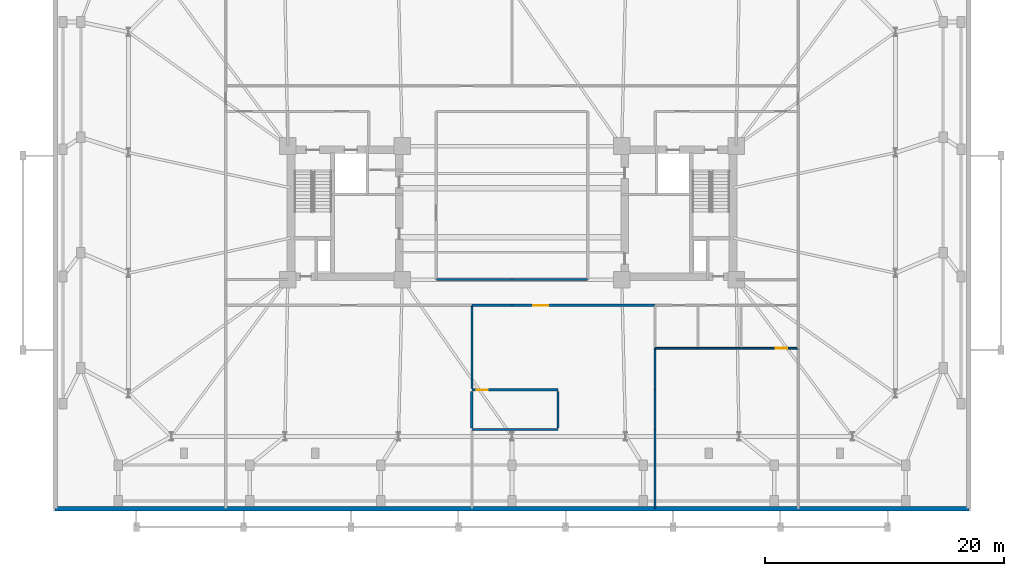
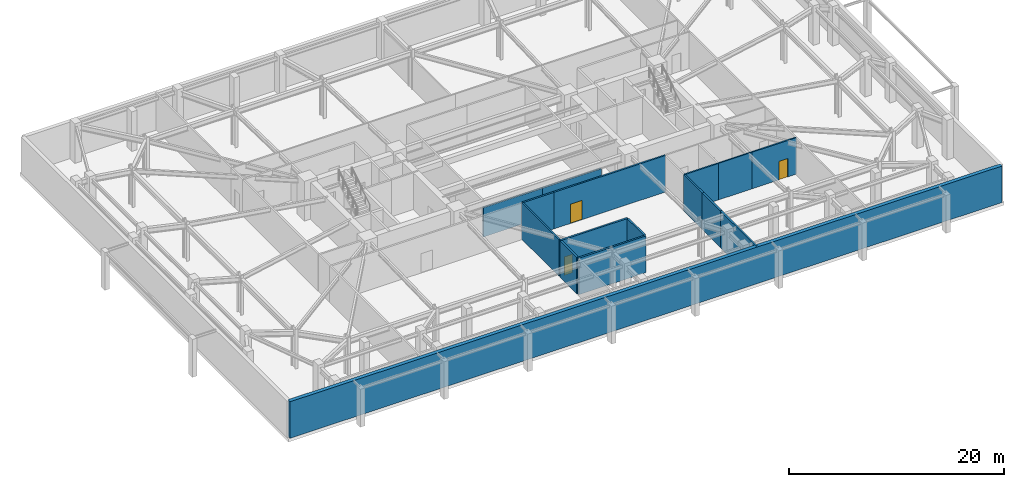
# One storey, part 9 of 14: 16 walls, 3 doors, 3 openings.
"""IFC4 building model written with IfcOpenShell, lengths in metres."""

from ifc_helpers import new_model, si_unit, direction, frame, frame_2d, origin, place, context, subcontext, project, spatial, rectangle, extrude, material, layer, layer_set, type_object, element, fill, save


model = new_model("IFC4")

# Units and contexts
model_context = context("Model", 3, precision=1e-05, world=origin(), true_north=direction((0.0, 1.0)))
body_context = subcontext(model_context, "Body", "Model", "MODEL_VIEW")
ifc_project = project(units=[si_unit("LENGTHUNIT", "METRE"), si_unit("AREAUNIT", "SQUARE_METRE"), si_unit("VOLUMEUNIT", "CUBIC_METRE"), si_unit("PLANEANGLEUNIT", "RADIAN"), si_unit("MASSUNIT", "GRAM", prefix="KILO")], contexts=[model_context])

# Site, building, storey
site_placement = place(None, origin())
site = spatial("IfcSite", under=ifc_project, at=site_placement, CompositionType="ELEMENT")
building_placement = place(site_placement, origin())
building = spatial("IfcBuilding", under=site, at=building_placement, Name="Qobustan Lattice House", CompositionType="ELEMENT")
storey_placement = place(building_placement, frame((0.0, 0.0, -4.5)))
storey = spatial("IfcBuildingStorey", under=building, at=storey_placement, Name="B01", CompositionType="ELEMENT", Elevation=-4.5)

# Walls
ifc_material_1 = material(Name="Gypsum fireboard acoustic partition", Category="gypsum")
ifc_layer_1 = layer(ifc_material_1, 0.179931640625)
ifc_layer_set_1 = layer_set([ifc_layer_1], Name="Gypsum fireboard acoustic partition")
wall_type_1 = type_object("IfcWallType", Name="WAL-FIRE-180", PredefinedType="PARTITIONING", material=ifc_layer_set_1)
wall_1_placement = place(storey_placement, frame((0.0, -7.75, 0.0), z_axis=(0.0, 0.0, 1.0), x_axis=(-1.0, 0.0, 0.0)))
element("IfcWall", 1, at=wall_1_placement, inside=storey, type_object=wall_type_1, Name="B01 interior partition 29", PredefinedType="PARTITIONING", context=body_context, shape_type="SweptSolid", body=[
    extrude(rectangle(XDim=3.360107421875, YDim=0.179931640625, at=frame_2d((1.68017578125, 0.0))), origin(), (0.0, 0.0, 1.0), 4.159912109375),
])
wall_2_placement = place(storey_placement, frame((-6.35009765625, -5.60009765625, 0.0), z_axis=(0.0, 0.0, 1.0), x_axis=(1.0, 0.0, 0.0)))
element("IfcWall", 2, at=wall_2_placement, inside=storey, type_object=wall_type_1, Name="B01 interior partition 31", PredefinedType="PARTITIONING", context=body_context, shape_type="SweptSolid", body=[
    extrude(rectangle(XDim=6.35009765625, YDim=0.179931640625, at=frame_2d((3.175048828125, 0.0))), origin(), (0.0, 0.0, 1.0), 3.3310546875),
])

# Wall, opening, door
wall_3_placement = place(storey_placement, frame((12.0, -7.75, 0.0), z_axis=(0.0, 0.0, 1.0), x_axis=(-1.0, 0.0, 0.0)))
wall_3 = element("IfcWall", 3, at=wall_3_placement, inside=storey, type_object=wall_type_1, Name="B01 interior partition 32", PredefinedType="PARTITIONING", context=body_context, shape_type="SweptSolid", body=[
    extrude(rectangle(XDim=12.0, YDim=0.179931640625, at=frame_2d((6.0, 0.0))), origin(), (0.0, 0.0, 1.0), 4.159912109375),
])
opening_1_placement = place(wall_3_placement, frame((8.97119140625, 0.0, 0.0)))
opening_1 = element("IfcOpeningElement", 4, at=opening_1_placement, cuts=wall_3, Name="Opening FD-03", PredefinedType="OPENING", context=body_context, shape_type="SweptSolid", body=[
    extrude(rectangle(XDim=1.25, YDim=2.199951171875, at=frame_2d((0.625, 1.10009765625))), frame((0.0, 0.099853515625, 0.0), z_axis=(0.0, -1.0, 0.0), x_axis=(1.0, 0.0, 0.0)), (0.0, 0.0, 1.0), 0.199951171875),
])
ifc_material_2 = material(Name="Persian walnut timber and steel frame door", Category="steel")
door_type_1 = type_object("IfcDoorType", Name="DOR-PLANT-1250x2200", OperationType="NOTDEFINED", PredefinedType="DOOR", material=ifc_material_2)
door_1_placement = place(opening_1_placement, origin())
door_1 = element("IfcDoor", 5, at=door_1_placement, inside=storey, type_object=door_type_1, Name="B01 South-east substructure corridor to Domestic hot water storage plant door", OperationType="SINGLE_SWING_LEFT", OverallHeight=2.199951171875, OverallWidth=1.25, PredefinedType="DOOR", context=body_context, shape_type="SweptSolid", body=[
    extrude(rectangle(XDim=1.25, YDim=2.199951171875, at=frame_2d((0.625, 1.10009765625))), frame((0.0, 0.02490234375, 0.0), z_axis=(0.0, -1.0, 0.0), x_axis=(1.0, 0.0, 0.0)), (0.0, 0.0, 1.0), 0.050048828125),
])
fill(opening_1, door_1)

# Walls
wall_4_placement = place(storey_placement, frame((0.0, -5.60009765625, 0.0), z_axis=(0.0, 0.0, 1.0), x_axis=(1.0, 0.0, 0.0)))
element("IfcWall", 6, at=wall_4_placement, inside=storey, type_object=wall_type_1, Name="B01 interior partition 34", PredefinedType="PARTITIONING", context=body_context, shape_type="SweptSolid", body=[
    extrude(rectangle(XDim=6.35009765625, YDim=0.179931640625, at=frame_2d((3.175048828125, 0.0))), origin(), (0.0, 0.0, 1.0), 3.3310546875),
])
wall_5_placement = place(storey_placement, frame((-3.360107421875, -7.75, 0.0), z_axis=(0.0, 0.0, 1.0), x_axis=(0.0, -1.0, 0.0)))
element("IfcWall", 7, at=wall_5_placement, inside=storey, type_object=wall_type_1, Name="B01 interior partition 46", PredefinedType="PARTITIONING", context=body_context, shape_type="SweptSolid", body=[
    extrude(rectangle(XDim=6.989990234375, YDim=0.179931640625, at=frame_2d((3.4951171875, 0.0))), origin(), (0.0, 0.0, 1.0), 4.159912109375),
])
wall_6_placement = place(storey_placement, frame((12.0, -18.179931640625, 0.0), z_axis=(0.0, 0.0, 1.0), x_axis=(0.0, -1.0, 0.0)))
element("IfcWall", 8, at=wall_6_placement, inside=storey, type_object=wall_type_1, Name="B01 interior partition 49", PredefinedType="PARTITIONING", context=body_context, shape_type="SweptSolid", body=[
    extrude(rectangle(XDim=6.6201171875, YDim=0.179931640625, at=frame_2d((3.31005859375, 0.0))), origin(), (0.0, 0.0, 1.0), 4.159912109375),
])
wall_7_placement = place(storey_placement, frame((12.0, -11.35009765625, 0.0), z_axis=(0.0, 0.0, 1.0), x_axis=(0.0, -1.0, 0.0)))
element("IfcWall", 9, at=wall_7_placement, inside=storey, type_object=wall_type_1, Name="B01 interior partition 50", PredefinedType="PARTITIONING", context=body_context, shape_type="SweptSolid", body=[
    extrude(rectangle(XDim=3.469970703125, YDim=0.179931640625, at=frame_2d((1.73486328125, 0.0))), origin(), (0.0, 0.0, 1.0), 4.159912109375),
])
wall_8_placement = place(storey_placement, frame((12.0, -14.820068359375, 0.0), z_axis=(0.0, 0.0, 1.0), x_axis=(0.0, -1.0, 0.0)))
element("IfcWall", 10, at=wall_8_placement, inside=storey, type_object=wall_type_1, Name="B01 interior partition 51", PredefinedType="PARTITIONING", context=body_context, shape_type="SweptSolid", body=[
    extrude(rectangle(XDim=3.35986328125, YDim=0.179931640625, at=frame_2d((1.679931640625, 0.0))), origin(), (0.0, 0.0, 1.0), 4.159912109375),
])

# Wall, opening, door
ifc_material_3 = material(Name="Acoustic twin-stud gypsum partition", Category="gypsum")
ifc_layer_2 = layer(ifc_material_3, 0.14990234375)
ifc_layer_set_2 = layer_set([ifc_layer_2], Name="Acoustic twin-stud gypsum partition")
wall_type_2 = type_object("IfcWallType", Name="WAL-PART-150", PredefinedType="PARTITIONING", material=ifc_layer_set_2)
wall_9_placement = place(storey_placement, frame((24.0, -11.35009765625, 0.0), z_axis=(0.0, 0.0, 1.0), x_axis=(-1.0, 0.0, 0.0)))
wall_9 = element("IfcWall", 11, at=wall_9_placement, inside=storey, type_object=wall_type_2, Name="B01 interior partition 59", PredefinedType="PARTITIONING", context=body_context, shape_type="SweptSolid", body=[
    extrude(rectangle(XDim=4.800048828125, YDim=0.14990234375, at=frame_2d((2.39990234375, 0.0))), origin(), (0.0, 0.0, 1.0), 4.159912109375),
])
opening_2_placement = place(wall_9_placement, frame((0.916259765625, 0.0, 0.0)))
opening_2 = element("IfcOpeningElement", 12, at=opening_2_placement, cuts=wall_9, Name="Opening ID-01", PredefinedType="OPENING", context=body_context, shape_type="SweptSolid", body=[
    extrude(rectangle(XDim=0.949951171875, YDim=2.10009765625, at=frame_2d((0.47509765625, 1.050048828125))), frame((0.0, 0.0849609375, 0.0), z_axis=(0.0, -1.0, 0.0), x_axis=(1.0, 0.0, 0.0)), (0.0, 0.0, 1.0), 0.169921875),
])
ifc_material_4 = material(Name="Persian walnut timber and steel frame door", Category="steel")
door_type_2 = type_object("IfcDoorType", Name="DOR-ROOM-950x2100", OperationType="NOTDEFINED", PredefinedType="DOOR", material=ifc_material_4)
door_2_placement = place(opening_2_placement, origin())
door_2 = element("IfcDoor", 13, at=door_2_placement, inside=storey, type_object=door_type_2, Name="B01 Janitor supply store to Equipment and archive store door", OperationType="SINGLE_SWING_RIGHT", OverallHeight=2.10009765625, OverallWidth=0.949951171875, PredefinedType="DOOR", context=body_context, shape_type="SweptSolid", body=[
    extrude(rectangle(XDim=0.949951171875, YDim=2.10009765625, at=frame_2d((0.47509765625, 1.050048828125))), frame((0.0, 0.02490234375, 0.0), z_axis=(0.0, -1.0, 0.0), x_axis=(1.0, 0.0, 0.0)), (0.0, 0.0, 1.0), 0.050048828125),
])
fill(opening_2, door_2)

ifc_material_5 = material(Name="Concrete C40/50", Category="concrete")
ifc_layer_3 = layer(ifc_material_5, 0.199951171875)
ifc_layer_set_3 = layer_set([ifc_layer_3], Name="Concrete C40/50")
wall_type_3 = type_object("IfcWallType", Name="WAL-SHAFT-LB-200", PredefinedType="SHEAR", material=ifc_layer_set_3)
wall_10_placement = place(storey_placement, frame((-3.360107421875, -14.840087890625, 0.0), z_axis=(0.0, 0.0, 1.0), x_axis=(1.0, 0.0, 0.0)))
wall_10 = element("IfcWall", 14, at=wall_10_placement, inside=storey, type_object=wall_type_3, Name="B01 podium stair ST-P1 RC shaft wall STP-N", PredefinedType="SHEAR", context=body_context, shape_type="SweptSolid", body=[
    extrude(rectangle(XDim=7.22021484375, YDim=0.199951171875, at=frame_2d((3.610107421875, 0.0))), origin(), (0.0, 0.0, 1.0), 4.159912109375),
])
opening_3_placement = place(wall_10_placement, frame((0.409912109375, 0.0, 0.0)))
opening_3 = element("IfcOpeningElement", 15, at=opening_3_placement, cuts=wall_10, Name="Opening RD-01", PredefinedType="OPENING", context=body_context, shape_type="SweptSolid", body=[
    extrude(rectangle(XDim=0.89990234375, YDim=2.10009765625, at=frame_2d((0.449951171875, 1.050048828125))), frame((0.0, 0.10986328125, 0.0), z_axis=(0.0, -1.0, 0.0), x_axis=(1.0, 0.0, 0.0)), (0.0, 0.0, 1.0), 0.219970703125),
])
ifc_material_6 = material(Name="Persian walnut timber and steel frame door", Category="steel")
door_type_3 = type_object("IfcDoorType", Name="DOR-RISER-FD-900x2100", OperationType="NOTDEFINED", PredefinedType="DOOR", material=ifc_material_6)
door_3_placement = place(opening_3_placement, origin())
door_3 = element("IfcDoor", 16, at=door_3_placement, inside=storey, type_object=door_type_3, Name="B01 podium stair ST-P1 fire door", OperationType="SINGLE_SWING_RIGHT", OverallHeight=2.10009765625, OverallWidth=0.89990234375, PredefinedType="DOOR", context=body_context, shape_type="SweptSolid", body=[
    extrude(rectangle(XDim=0.89990234375, YDim=2.10009765625, at=frame_2d((0.449951171875, 1.050048828125))), frame((0.0, 0.02490234375, 0.0), z_axis=(0.0, -1.0, 0.0), x_axis=(1.0, 0.0, 0.0)), (0.0, 0.0, 1.0), 0.050048828125),
])
fill(opening_3, door_3)

# Walls
wall_11_placement = place(storey_placement, frame((-3.360107421875, -18.159912109375, 0.0), z_axis=(0.0, 0.0, 1.0), x_axis=(1.0, 0.0, 0.0)))
element("IfcWall", 17, at=wall_11_placement, inside=storey, type_object=wall_type_3, Name="B01 podium stair ST-P1 RC shaft wall STP-S", PredefinedType="SHEAR", context=body_context, shape_type="SweptSolid", body=[
    extrude(rectangle(XDim=7.22021484375, YDim=0.199951171875, at=frame_2d((3.610107421875, 0.0))), origin(), (0.0, 0.0, 1.0), 4.159912109375),
])
for number, where, z_axis, x_axis, name in (
    (18, (-3.360107421875, -18.0400390625, 0.0), (0.0, 0.0, 1.0), (0.0, 1.0, 0.0), "B01 podium stair ST-P1 RC shaft wall STP-W"),
    (19, (3.860107421875, -18.0400390625, 0.0), (0.0, 0.0, 1.0), (0.0, 1.0, 0.0), "B01 podium stair ST-P1 RC shaft wall STP-E"),
):
    element("IfcWall", number, at=place(storey_placement, frame(where, z_axis=z_axis, x_axis=x_axis)), inside=storey, type_object=wall_type_3, Name=name, PredefinedType="SHEAR", context=body_context, shape_type="SweptSolid", body=[
        extrude(rectangle(XDim=3.080078125, YDim=0.199951171875, at=frame_2d((1.5400390625, 0.0))), origin(), (0.0, 0.0, 1.0), 4.159912109375),
    ])
ifc_material_7 = material(Name="Concrete C50/60", Category="concrete")
ifc_layer_4 = layer(ifc_material_7, 0.39990234375)
ifc_layer_set_4 = layer_set([ifc_layer_4], Name="Concrete C50/60")
wall_type_4 = type_object("IfcWallType", Name="WAL-SUB-RET-400", PredefinedType="SOLIDWALL", material=ifc_layer_set_4)
wall_12_placement = place(storey_placement, frame((38.300048828125, -24.800048828125, 0.0), z_axis=(0.0, 0.0, 1.0), x_axis=(-1.0, 0.0, 0.0)))
element("IfcWall", 20, at=wall_12_placement, inside=storey, type_object=wall_type_4, Name="B01 substructure retaining wall 4", PredefinedType="SOLIDWALL", context=body_context, shape_type="SweptSolid", body=[
    extrude(rectangle(XDim=76.60009765625, YDim=0.39990234375, at=frame_2d((38.300048828125, 0.0))), origin(), (0.0, 0.0, 1.0), 4.159912109375),
])
ifc_material_8 = material(Name="Moisture-resistant acoustic plumbing wall", Category="gypsum")
ifc_layer_5 = layer(ifc_material_8, 0.14990234375)
ifc_layer_set_5 = layer_set([ifc_layer_5], Name="Moisture-resistant acoustic plumbing wall")
wall_type_5 = type_object("IfcWallType", Name="WAL-WET-150", PredefinedType="PLUMBINGWALL", material=ifc_layer_set_5)
wall_13_placement = place(storey_placement, frame((15.60009765625, -11.35009765625, 0.0), z_axis=(0.0, 0.0, 1.0), x_axis=(-1.0, 0.0, 0.0)))
element("IfcWall", 21, at=wall_13_placement, inside=storey, type_object=wall_type_5, Name="B01 interior partition 56", PredefinedType="PLUMBINGWALL", context=body_context, shape_type="SweptSolid", body=[
    extrude(rectangle(XDim=3.60009765625, YDim=0.14990234375, at=frame_2d((1.800048828125, 0.0))), origin(), (0.0, 0.0, 1.0), 4.159912109375),
])
wall_14_placement = place(storey_placement, frame((19.199951171875, -11.35009765625, 0.0), z_axis=(0.0, 0.0, 1.0), x_axis=(-1.0, 0.0, 0.0)))
element("IfcWall", 22, at=wall_14_placement, inside=storey, type_object=wall_type_5, Name="B01 interior partition 58", PredefinedType="PLUMBINGWALL", context=body_context, shape_type="SweptSolid", body=[
    extrude(rectangle(XDim=3.599853515625, YDim=0.14990234375, at=frame_2d((1.7998046875, 0.0))), origin(), (0.0, 0.0, 1.0), 4.159912109375),
])

save(model, "model.ifc")
